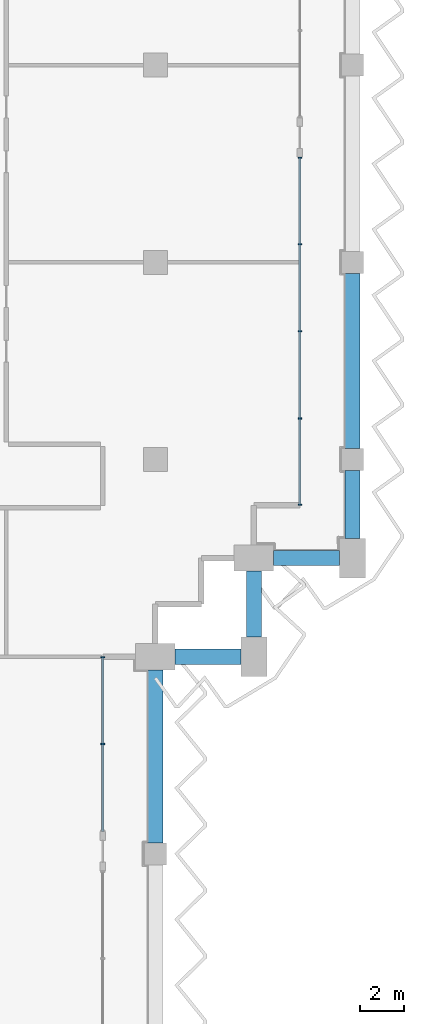
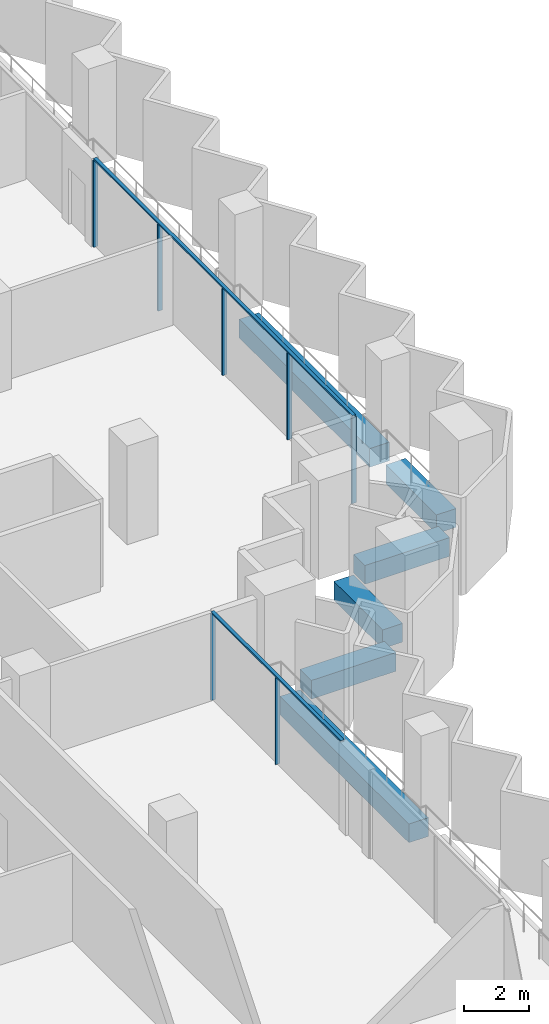
# One storey, part 4 of 17: 9 members, 6 beams, 2 elements without a shape of their own.
"""IFC4 building model written with IfcOpenShell, lengths in metres."""

from ifc_helpers import new_model, si_unit, direction, frame, origin, origin_2d, place, context, subcontext, project, spatial, rectangle, extrude, material, material_profile, profile_set, type_object, element, aggregate, save


model = new_model("IFC4")

# Units and contexts
model_context = context("Model", 3, precision=1e-05, world=origin(), true_north=direction((0.0, 1.0)))
body_context = subcontext(model_context, "Body", "Model", "MODEL_VIEW")
ifc_project = project(units=[si_unit("LENGTHUNIT", "METRE"), si_unit("AREAUNIT", "SQUARE_METRE"), si_unit("VOLUMEUNIT", "CUBIC_METRE"), si_unit("PLANEANGLEUNIT", "RADIAN"), si_unit("MASSUNIT", "GRAM", prefix="KILO")], contexts=[model_context])

# Site, building, storey
site_placement = place(None, origin())
site = spatial("IfcSite", under=ifc_project, at=site_placement, CompositionType="ELEMENT")
building_placement = place(site_placement, origin())
building = spatial("IfcBuilding", under=site, at=building_placement, Name="Hunhe Ridgeline Campus", CompositionType="ELEMENT")
storey_placement = place(building_placement, frame((0.0, 0.0, 186.5)))
storey = spatial("IfcBuildingStorey", under=building, at=storey_placement, Name="L47", CompositionType="ELEMENT", Elevation=186.5)

# Curtain wall, members
ifc_material_1 = material(Name="Aluminium 6063", Category="aluminium")
curtain_wall_type = type_object("IfcCurtainWallType", Name="Curtain wall CW-1", PredefinedType="NOTDEFINED", material=ifc_material_1)
curtain_wall_1_placement = place(storey_placement, origin())
curtain_wall_1 = element("IfcCurtainWall", 1, at=curtain_wall_1_placement, inside=storey, type_object=curtain_wall_type, Name="Curtain wall 12", PredefinedType="NOTDEFINED")
ifc_material_profile_1 = material_profile(ifc_material_1, rectangle(XDim=0.159912109375, YDim=0.06005859375, at=origin_2d()))
ifc_profile_set_1 = profile_set([ifc_material_profile_1], Name="Aluminium 6063")
member_type_1 = type_object("IfcMemberType", Name="CW-1 aluminium mullion", PredefinedType="MULLION", material=ifc_profile_set_1)
member_1_placement = place(storey_placement, frame((42.59912109375, 50.009521484375, 0.0), z_axis=(0.0, 0.0, 1.0), x_axis=(-0.999999999978, 6.639948e-06, 0.0)))
member_1 = element("IfcMember", 2, at=member_1_placement, type_object=member_type_1, Name="CW-1 mullion 2", PredefinedType="MULLION", context=body_context, shape_type="SweptSolid", body=[
    extrude(rectangle(XDim=0.159912109375, YDim=0.06005859375, at=origin_2d()), origin(), (0.0, 0.0, 1.0), 3.239990234375),
])
member_2_placement = place(storey_placement, frame((42.59912109375, 53.970458984375, 0.0), z_axis=(0.0, 0.0, 1.0), x_axis=(-0.999999999978, 6.639948e-06, 0.0)))
member_2 = element("IfcMember", 3, at=member_2_placement, type_object=member_type_1, Name="CW-1 mullion 3", PredefinedType="MULLION", context=body_context, shape_type="SweptSolid", body=[
    extrude(rectangle(XDim=0.159912109375, YDim=0.06005859375, at=origin_2d()), origin(), (0.0, 0.0, 1.0), 3.239990234375),
])

curtain_wall_2_placement = place(storey_placement, origin())
curtain_wall_2 = element("IfcCurtainWall", 4, at=curtain_wall_2_placement, inside=storey, type_object=curtain_wall_type, Name="Curtain wall 13", PredefinedType="NOTDEFINED")
member_3_placement = place(storey_placement, frame((51.59912109375, 60.930908203125, 0.0), z_axis=(0.0, 0.0, 1.0), x_axis=(-1.0, 0.0, 0.0)))
member_3 = element("IfcMember", 5, at=member_3_placement, type_object=member_type_1, Name="CW-1 mullion 1", PredefinedType="MULLION", context=body_context, shape_type="SweptSolid", body=[
    extrude(rectangle(XDim=0.159912109375, YDim=0.06005859375, at=origin_2d()), origin(), (0.0, 0.0, 1.0), 3.239990234375),
])
member_4_placement = place(storey_placement, frame((51.59912109375, 64.8759765625, 0.0), z_axis=(0.0, 0.0, 1.0), x_axis=(-1.0, 0.0, 0.0)))
member_4 = element("IfcMember", 6, at=member_4_placement, type_object=member_type_1, Name="CW-1 mullion 2", PredefinedType="MULLION", context=body_context, shape_type="SweptSolid", body=[
    extrude(rectangle(XDim=0.159912109375, YDim=0.06005859375, at=origin_2d()), origin(), (0.0, 0.0, 1.0), 3.239990234375),
])
member_5_placement = place(storey_placement, frame((51.59912109375, 68.850830078125, 0.0), z_axis=(0.0, 0.0, 1.0), x_axis=(-1.0, 0.0, 0.0)))
member_5 = element("IfcMember", 7, at=member_5_placement, type_object=member_type_1, Name="CW-1 mullion 3", PredefinedType="MULLION", context=body_context, shape_type="SweptSolid", body=[
    extrude(rectangle(XDim=0.159912109375, YDim=0.06005859375, at=origin_2d()), origin(), (0.0, 0.0, 1.0), 3.239990234375),
])
member_6_placement = place(storey_placement, frame((51.59912109375, 72.82568359375, 0.0), z_axis=(0.0, 0.0, 1.0), x_axis=(-1.0, 0.0, 0.0)))
member_6 = element("IfcMember", 8, at=member_6_placement, type_object=member_type_1, Name="CW-1 mullion 4", PredefinedType="MULLION", context=body_context, shape_type="SweptSolid", body=[
    extrude(rectangle(XDim=0.159912109375, YDim=0.06005859375, at=origin_2d()), origin(), (0.0, 0.0, 1.0), 3.239990234375),
])
member_7_placement = place(storey_placement, frame((51.59912109375, 76.7705078125, 0.0), z_axis=(0.0, 0.0, 1.0), x_axis=(-1.0, 0.0, 0.0)))
member_7 = element("IfcMember", 9, at=member_7_placement, type_object=member_type_1, Name="CW-1 mullion 5", PredefinedType="MULLION", context=body_context, shape_type="SweptSolid", body=[
    extrude(rectangle(XDim=0.159912109375, YDim=0.06005859375, at=origin_2d()), origin(), (0.0, 0.0, 1.0), 3.239990234375),
])

# Member
ifc_material_profile_2 = material_profile(ifc_material_1, rectangle(XDim=0.1201171875, YDim=0.06005859375, at=origin_2d()))
ifc_profile_set_2 = profile_set([ifc_material_profile_2], Name="Aluminium 6063")
member_type_2 = type_object("IfcMemberType", Name="CW-1 aluminium transom", PredefinedType="USERDEFINED", material=ifc_profile_set_2)
member_8_placement = place(storey_placement, frame((42.59912109375, 46.0185546875, 3.27001953125), z_axis=(0.0, 1.0, 0.0), x_axis=(-1.0, 0.0, 0.0)))
member_8 = element("IfcMember", 10, at=member_8_placement, type_object=member_type_2, Name="CW-1 transom 1", ObjectType="TRANSOM", PredefinedType="USERDEFINED", context=body_context, shape_type="SweptSolid", body=[
    extrude(rectangle(XDim=0.1201171875, YDim=0.06005859375, at=origin_2d()), origin(), (0.0, 0.0, 1.0), 7.98193359375),
])

aggregate(curtain_wall_1, [member_8, member_1, member_2])

member_9_placement = place(storey_placement, frame((51.59912109375, 60.90087890625, 3.27001953125), z_axis=(0.0, 1.0, 0.0), x_axis=(-1.0, 0.0, 0.0)))
member_9 = element("IfcMember", 11, at=member_9_placement, type_object=member_type_2, Name="CW-1 transom 1", ObjectType="TRANSOM", PredefinedType="USERDEFINED", context=body_context, shape_type="SweptSolid", body=[
    extrude(rectangle(XDim=0.1201171875, YDim=0.06005859375, at=origin_2d()), origin(), (0.0, 0.0, 1.0), 15.899658203125),
])

aggregate(curtain_wall_2, [member_9, member_3, member_4, member_5, member_6, member_7])

# Beams
ifc_material_2 = material(Name="Concrete C50", Category="concrete")
ifc_material_profile_3 = material_profile(ifc_material_2, rectangle(XDim=0.699951171875, YDim=0.699951171875, at=origin_2d()))
ifc_profile_set_3 = profile_set([ifc_material_profile_3], Name="Concrete C50")
beam_type = type_object("IfcBeamType", Name="RC spandrel beam 700x700 Concrete C50", PredefinedType="SPANDREL", material=ifc_profile_set_3)
beam_1_placement = place(storey_placement, frame((45.0, 45.5, -0.60009765625), z_axis=(0.0, 1.0, 0.0), x_axis=(-1.0, 0.0, 0.0)))
element("IfcBeam", 12, at=beam_1_placement, inside=storey, type_object=beam_type, Name="Spandrel beam B3-10 L47", PredefinedType="SPANDREL", context=body_context, shape_type="SweptSolid", body=[
    extrude(rectangle(XDim=0.699951171875, YDim=0.699951171875, at=origin_2d()), origin(), (0.0, 0.0, 1.0), 7.89990234375),
])
for number, where, z_axis, x_axis, name in (
    (13, (45.89990234375, 54.0, -0.60009765625), (1.0, 0.0, 0.0), (0.0, 1.0, 0.0), "Spandrel beam B3-11 L47"),
    (14, (49.5, 54.89990234375, -0.60009765625), (0.0, 1.0, 0.0), (-1.0, 0.0, 0.0), "Spandrel beam B3-12 L47"),
    (15, (50.39990234375, 58.5, -0.60009765625), (1.0, 0.0, 0.0), (0.0, 1.0, 0.0), "Spandrel beam B3-13 L47"),
):
    element("IfcBeam", number, at=place(storey_placement, frame(where, z_axis=z_axis, x_axis=x_axis)), inside=storey, type_object=beam_type, Name=name, PredefinedType="SPANDREL", context=body_context, shape_type="SweptSolid", body=[
        extrude(rectangle(XDim=0.699951171875, YDim=0.699951171875, at=origin_2d()), origin(), (0.0, 0.0, 1.0), 3.0),
    ])
beam_2_placement = place(storey_placement, frame((54.0, 59.39990234375, -0.60009765625), z_axis=(0.0, 1.0, 0.0), x_axis=(-1.0, 0.0, 0.0)))
element("IfcBeam", 16, at=beam_2_placement, inside=storey, type_object=beam_type, Name="Spandrel beam B3-14 L47", PredefinedType="SPANDREL", context=body_context, shape_type="SweptSolid", body=[
    extrude(rectangle(XDim=0.699951171875, YDim=0.699951171875, at=origin_2d()), origin(), (0.0, 0.0, 1.0), 3.10009765625),
])
beam_3_placement = place(storey_placement, frame((54.0, 63.5, -0.60009765625), z_axis=(0.0, 1.0, 0.0), x_axis=(-1.0, 0.0, 0.0)))
element("IfcBeam", 17, at=beam_3_placement, inside=storey, type_object=beam_type, Name="Spandrel beam B3-15 L47", PredefinedType="SPANDREL", context=body_context, shape_type="SweptSolid", body=[
    extrude(rectangle(XDim=0.699951171875, YDim=0.699951171875, at=origin_2d()), origin(), (0.0, 0.0, 1.0), 8.0),
])

save(model, "model.ifc")
